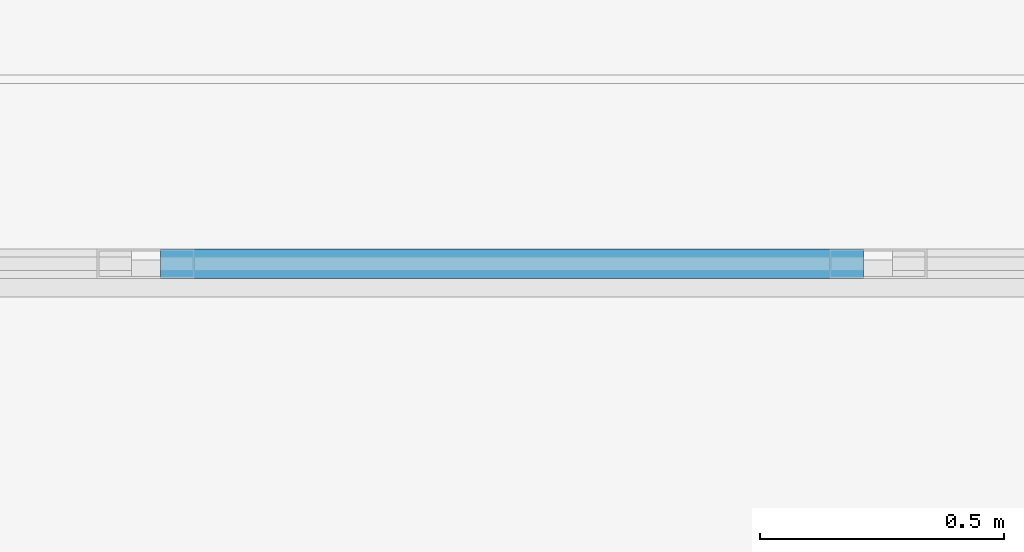
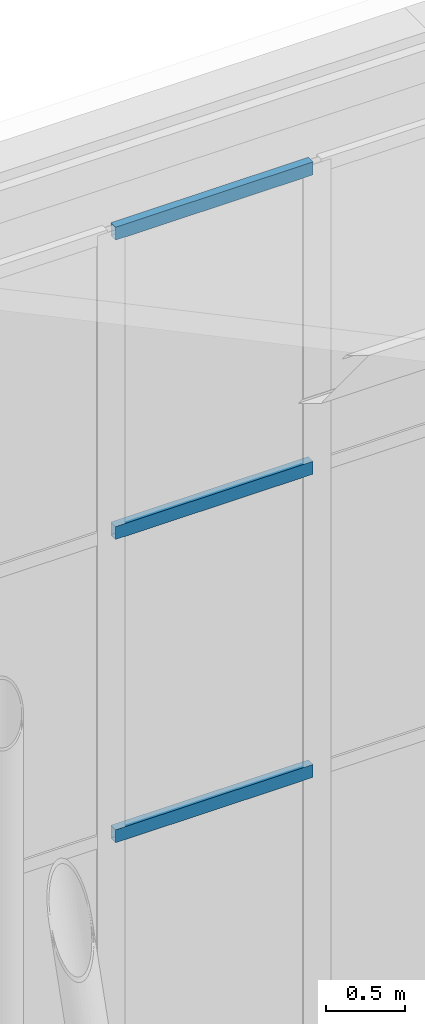
# One storey, part 66 of 185: 3 members, 1 element without a shape of its own.
"""IFC4 building model written with IfcOpenShell, lengths in metres."""

from ifc_helpers import new_model, si_unit, direction, frame, origin, origin_2d, place, context, subcontext, project, spatial, hollow_rectangle, extrude, material, layer, layer_set, material_profile, profile_set, type_object, element, aggregate, save


model = new_model("IFC4")

# Units and contexts
model_context = context("Model", 3, precision=1e-05, world=origin(), true_north=direction((0.0, 1.0)))
body_context = subcontext(model_context, "Body", "Model", "MODEL_VIEW")
ifc_project = project(units=[si_unit("LENGTHUNIT", "METRE"), si_unit("AREAUNIT", "SQUARE_METRE"), si_unit("VOLUMEUNIT", "CUBIC_METRE"), si_unit("PLANEANGLEUNIT", "RADIAN"), si_unit("MASSUNIT", "GRAM", prefix="KILO")], contexts=[model_context])

# Site, building, storey
site_placement = place(None, origin())
site = spatial("IfcSite", under=ifc_project, at=site_placement, CompositionType="ELEMENT")
building_placement = place(site_placement, origin())
building = spatial("IfcBuilding", under=site, at=building_placement, Name="Opaline Strait Convention Centre", CompositionType="ELEMENT")
storey_placement = place(building_placement, frame((0.0, 0.0, 6.0)))
storey = spatial("IfcBuildingStorey", under=building, at=storey_placement, Name="L01", CompositionType="ELEMENT", Elevation=6.0)

# Curtain wall, members
ifc_material_1 = material(Name="Aluminium 6063-T5", Category="aluminium")
ifc_layer = layer(ifc_material_1, 0.199951171875)
ifc_layer_set = layer_set([ifc_layer], Name="Aluminium 6063-T5")
curtain_wall_type = type_object("IfcCurtainWallType", Name="Unitised curtain wall 1640 module", PredefinedType="NOTDEFINED", material=ifc_layer_set)
curtain_wall_placement = place(storey_placement, origin())
curtain_wall = element("IfcCurtainWall", 1, at=curtain_wall_placement, inside=storey, type_object=curtain_wall_type, Name="Ballroom north clerestory curtain wall", PredefinedType="NOTDEFINED")
ifc_material_2 = material(Name="Aluminium alloy 6063", Category="aluminium")
ifc_material_profile = material_profile(ifc_material_2, hollow_rectangle(XDim=0.06005859375, YDim=0.10009765625, WallThickness=0.0029296875, at=origin_2d()), Name="TRANSOM 60x100x3")
ifc_profile_set = profile_set([ifc_material_profile], Name="Aluminium alloy 6063")
member_type = type_object("IfcMemberType", Name="Curtain wall transom 60 x 100", PredefinedType="USERDEFINED", material=ifc_profile_set)
member_1_placement = place(storey_placement, frame((343.552978515625, 62.929931640625, 6.663330078125), z_axis=(1.0, 0.0, 0.0), x_axis=(0.0, 1.0, 0.0)))
member_1 = element("IfcMember", 2, at=member_1_placement, type_object=member_type, Name="BG2 transom 38.2", ObjectType="TRANSOM", PredefinedType="USERDEFINED", context=body_context, shape_type="SweptSolid", body=[
    extrude(hollow_rectangle(XDim=0.06005859375, YDim=0.10009765625, WallThickness=0.0029296875, at=origin_2d()), origin(), (0.0, 0.0, 1.0), 1.44140625),
])
member_2_placement = place(storey_placement, frame((343.552978515625, 62.929931640625, 9.001708984375), z_axis=(1.0, 0.0, 0.0), x_axis=(0.0, 1.0, 0.0)))
member_2 = element("IfcMember", 3, at=member_2_placement, type_object=member_type, Name="BG2 transom 38.3", ObjectType="TRANSOM", PredefinedType="USERDEFINED", context=body_context, shape_type="SweptSolid", body=[
    extrude(hollow_rectangle(XDim=0.06005859375, YDim=0.10009765625, WallThickness=0.0029296875, at=origin_2d()), origin(), (0.0, 0.0, 1.0), 1.44140625),
])
member_3_placement = place(storey_placement, frame((343.552978515625, 62.929931640625, 11.31005859375), z_axis=(1.0, 0.0, 0.0), x_axis=(0.0, 1.0, 0.0)))
member_3 = element("IfcMember", 4, at=member_3_placement, type_object=member_type, Name="BG2 transom 38.4", ObjectType="TRANSOM", PredefinedType="USERDEFINED", context=body_context, shape_type="SweptSolid", body=[
    extrude(hollow_rectangle(XDim=0.06005859375, YDim=0.10009765625, WallThickness=0.0029296875, at=origin_2d()), origin(), (0.0, 0.0, 1.0), 1.44140625),
])
aggregate(curtain_wall, [member_1, member_2, member_3])

save(model, "model.ifc")
